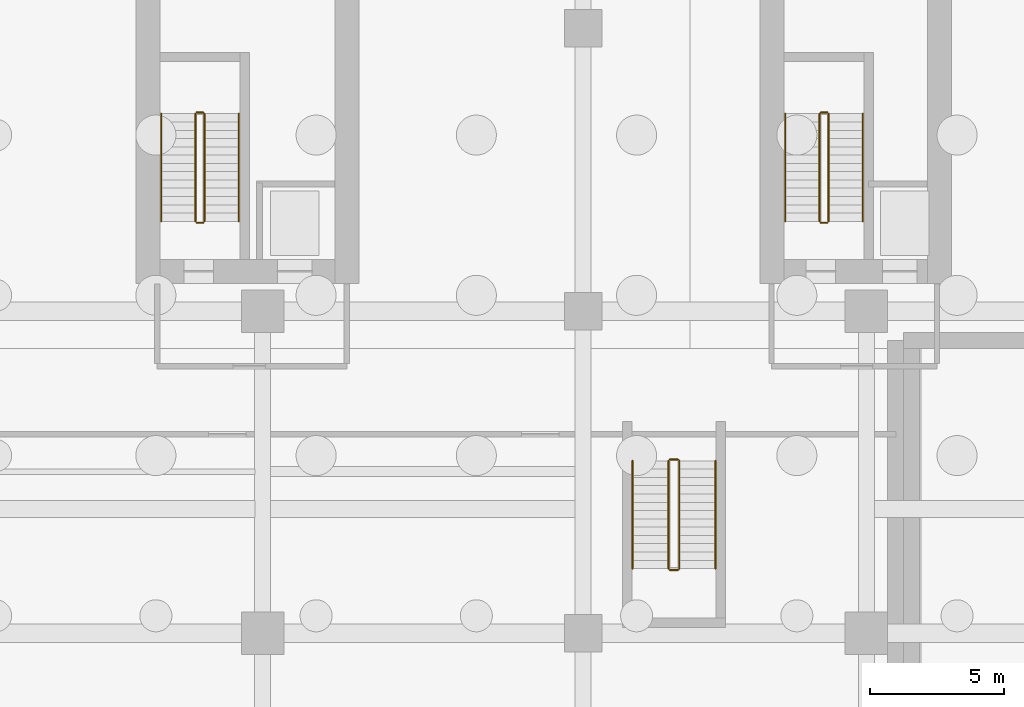
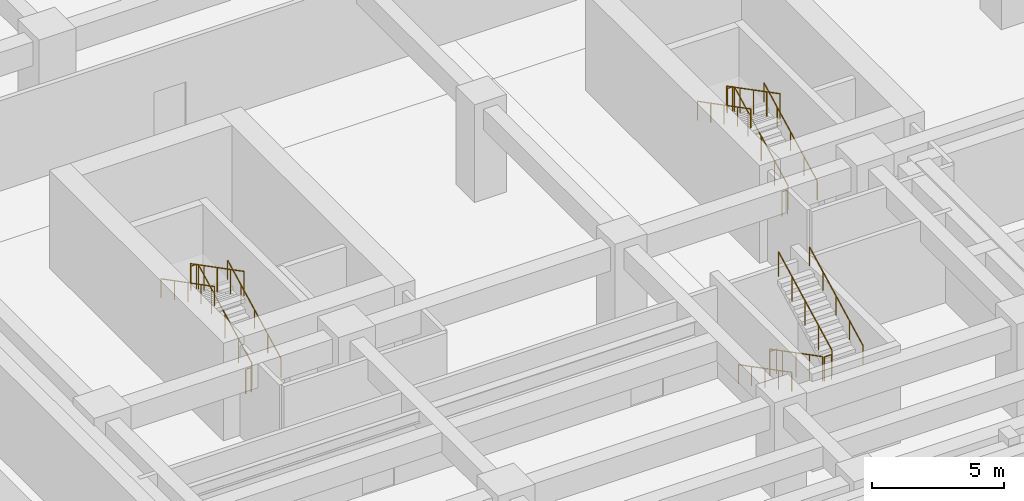
# One storey, part 12 of 14: 18 railings.
"""IFC4 building model written with IfcOpenShell, lengths in metres."""

from ifc_helpers import new_model, si_unit, direction, frame, origin, origin_2d, place, context, subcontext, project, spatial, circle, extrude, material, type_object, element, save


model = new_model("IFC4")

# Units and contexts
model_context = context("Model", 3, precision=1e-05, world=origin(), true_north=direction((0.0, 1.0)))
body_context = subcontext(model_context, "Body", "Model", "MODEL_VIEW")
ifc_project = project(units=[si_unit("LENGTHUNIT", "METRE"), si_unit("AREAUNIT", "SQUARE_METRE"), si_unit("VOLUMEUNIT", "CUBIC_METRE"), si_unit("PLANEANGLEUNIT", "RADIAN"), si_unit("MASSUNIT", "GRAM", prefix="KILO")], contexts=[model_context])

# Site, building, storey
site_placement = place(None, origin())
site = spatial("IfcSite", under=ifc_project, at=site_placement, CompositionType="ELEMENT")
building_placement = place(site_placement, origin())
building = spatial("IfcBuilding", under=site, at=building_placement, Name="Khoralis Quay Care Tower", CompositionType="ELEMENT")
storey_placement = place(building_placement, frame((0.0, 0.0, -4.5)))
storey = spatial("IfcBuildingStorey", under=building, at=storey_placement, Name="B1", CompositionType="ELEMENT", Elevation=-4.5)

# Railings
ifc_material = material(Name="Brushed stainless steel", Category="steel")
railing_type_1 = type_object("IfcRailingType", Name="RL-GUARD-1150", PredefinedType="GUARDRAIL", material=ifc_material)
railing_1_placement = place(storey_placement, frame((9.820068359375, 16.77001953125, 0.16064453125)))
element("IfcRailing", 1, at=railing_1_placement, inside=storey, type_object=railing_type_1, Name="B1 ST-T1 stair guard 1", PredefinedType="GUARDRAIL", context=body_context, shape_type="SweptSolid", body=[
    extrude(circle(Radius=0.02392578125, at=origin_2d()), frame((0.0, 0.0, 1.1259765625), z_axis=(0.0, 0.887780577991, 0.46026692836), x_axis=(-1.0, 0.0, 0.0)), (0.0, 0.0, 1.0), 4.53955078125),
    extrude(circle(Radius=0.02099609375, at=origin_2d()), origin(), (0.0, 0.0, 1.0), 1.101806640625),
    extrude(circle(Radius=0.02099609375, at=origin_2d()), frame((0.0, 1.007568359375, 0.5224609375)), (0.0, 0.0, 1.0), 1.101806640625),
    extrude(circle(Radius=0.02099609375, at=origin_2d()), frame((0.0, 2.01513671875, 1.044677734375)), (0.0, 0.0, 1.0), 1.101806640625),
    extrude(circle(Radius=0.02099609375, at=origin_2d()), frame((0.0, 3.0224609375, 1.56689453125)), (0.0, 0.0, 1.0), 1.101806640625),
    extrude(circle(Radius=0.02099609375, at=origin_2d()), frame((0.0, 4.030029296875, 2.08935546875)), (0.0, 0.0, 1.0), 1.101806640625),
])
railing_2_placement = place(storey_placement, frame((9.77001953125, 20.85009765625, 2.25)))
element("IfcRailing", 2, at=railing_2_placement, inside=storey, type_object=railing_type_1, Name="B1 ST-T1 stair guard 2", PredefinedType="GUARDRAIL", context=body_context, shape_type="SweptSolid", body=[
    extrude(circle(Radius=0.02392578125, at=origin_2d()), frame((0.0, 0.0, 1.1259765625), z_axis=(-1.0, 0.0, 0.0), x_axis=(0.0, -1.0, 0.0)), (0.0, 0.0, 1.0), 0.239990234375),
    extrude(circle(Radius=0.02099609375, at=origin_2d()), origin(), (0.0, 0.0, 1.0), 1.101806640625),
    extrude(circle(Radius=0.02099609375, at=origin_2d()), frame((-0.239990234375, 0.0, 0.0)), (0.0, 0.0, 1.0), 1.101806640625),
])
railing_3_placement = place(storey_placement, frame((9.47998046875, 20.800048828125, 2.41064453125)))
element("IfcRailing", 3, at=railing_3_placement, inside=storey, type_object=railing_type_1, Name="B1 ST-T1 stair guard 3", PredefinedType="GUARDRAIL", context=body_context, shape_type="SweptSolid", body=[
    extrude(circle(Radius=0.02392578125, at=origin_2d()), frame((0.0, 0.0, 1.1259765625), z_axis=(0.0, -0.887780577991, 0.46026692836), x_axis=(1.0, 0.0, 0.0)), (0.0, 0.0, 1.0), 4.53955078125),
    extrude(circle(Radius=0.02099609375, at=origin_2d()), origin(), (0.0, 0.0, 1.0), 1.101806640625),
    extrude(circle(Radius=0.02099609375, at=origin_2d()), frame((0.0, -1.007568359375, 0.5224609375)), (0.0, 0.0, 1.0), 1.101806640625),
    extrude(circle(Radius=0.02099609375, at=origin_2d()), frame((0.0, -2.01513671875, 1.044677734375)), (0.0, 0.0, 1.0), 1.101806640625),
    extrude(circle(Radius=0.02099609375, at=origin_2d()), frame((0.0, -3.0224609375, 1.56689453125)), (0.0, 0.0, 1.0), 1.101806640625),
    extrude(circle(Radius=0.02099609375, at=origin_2d()), frame((0.0, -4.030029296875, 2.08935546875)), (0.0, 0.0, 1.0), 1.101806640625),
])
railing_4_placement = place(storey_placement, frame((9.77001953125, 16.719970703125, 0.0)))
element("IfcRailing", 4, at=railing_4_placement, inside=storey, type_object=railing_type_1, Name="B1 ST-T1 stair guard 4", PredefinedType="GUARDRAIL", context=body_context, shape_type="SweptSolid", body=[
    extrude(circle(Radius=0.02392578125, at=origin_2d()), frame((0.0, 0.0, 1.1259765625), z_axis=(-1.0, 0.0, 0.0), x_axis=(0.0, -1.0, 0.0)), (0.0, 0.0, 1.0), 0.239990234375),
    extrude(circle(Radius=0.02099609375, at=origin_2d()), origin(), (0.0, 0.0, 1.0), 1.101806640625),
    extrude(circle(Radius=0.02099609375, at=origin_2d()), frame((-0.239990234375, 0.0, 0.0)), (0.0, 0.0, 1.0), 1.101806640625),
])
railing_5_placement = place(storey_placement, frame((33.18994140625, 16.77001953125, 0.16064453125)))
element("IfcRailing", 5, at=railing_5_placement, inside=storey, type_object=railing_type_1, Name="B1 ST-T2 stair guard 1", PredefinedType="GUARDRAIL", context=body_context, shape_type="SweptSolid", body=[
    extrude(circle(Radius=0.02392578125, at=origin_2d()), frame((0.0, 0.0, 1.1259765625), z_axis=(0.0, 0.887780577991, 0.46026692836), x_axis=(-1.0, 0.0, 0.0)), (0.0, 0.0, 1.0), 4.53955078125),
    extrude(circle(Radius=0.02099609375, at=origin_2d()), origin(), (0.0, 0.0, 1.0), 1.101806640625),
    extrude(circle(Radius=0.02099609375, at=origin_2d()), frame((0.0, 1.007568359375, 0.5224609375)), (0.0, 0.0, 1.0), 1.101806640625),
    extrude(circle(Radius=0.02099609375, at=origin_2d()), frame((0.0, 2.01513671875, 1.044677734375)), (0.0, 0.0, 1.0), 1.101806640625),
    extrude(circle(Radius=0.02099609375, at=origin_2d()), frame((0.0, 3.0224609375, 1.56689453125)), (0.0, 0.0, 1.0), 1.101806640625),
    extrude(circle(Radius=0.02099609375, at=origin_2d()), frame((0.0, 4.030029296875, 2.08935546875)), (0.0, 0.0, 1.0), 1.101806640625),
])
railing_6_placement = place(storey_placement, frame((33.139892578125, 20.85009765625, 2.25)))
element("IfcRailing", 6, at=railing_6_placement, inside=storey, type_object=railing_type_1, Name="B1 ST-T2 stair guard 2", PredefinedType="GUARDRAIL", context=body_context, shape_type="SweptSolid", body=[
    extrude(circle(Radius=0.02392578125, at=origin_2d()), frame((0.0, 0.0, 1.1259765625), z_axis=(-1.0, 0.0, 0.0), x_axis=(0.0, -1.0, 0.0)), (0.0, 0.0, 1.0), 0.239990234375),
    extrude(circle(Radius=0.02099609375, at=origin_2d()), origin(), (0.0, 0.0, 1.0), 1.101806640625),
    extrude(circle(Radius=0.02099609375, at=origin_2d()), frame((-0.239990234375, 0.0, 0.0)), (0.0, 0.0, 1.0), 1.101806640625),
])
railing_7_placement = place(storey_placement, frame((32.85009765625, 20.800048828125, 2.41064453125)))
element("IfcRailing", 7, at=railing_7_placement, inside=storey, type_object=railing_type_1, Name="B1 ST-T2 stair guard 3", PredefinedType="GUARDRAIL", context=body_context, shape_type="SweptSolid", body=[
    extrude(circle(Radius=0.02392578125, at=origin_2d()), frame((0.0, 0.0, 1.1259765625), z_axis=(0.0, -0.887780577991, 0.46026692836), x_axis=(1.0, 0.0, 0.0)), (0.0, 0.0, 1.0), 4.53955078125),
    extrude(circle(Radius=0.02099609375, at=origin_2d()), origin(), (0.0, 0.0, 1.0), 1.101806640625),
    extrude(circle(Radius=0.02099609375, at=origin_2d()), frame((0.0, -1.007568359375, 0.5224609375)), (0.0, 0.0, 1.0), 1.101806640625),
    extrude(circle(Radius=0.02099609375, at=origin_2d()), frame((0.0, -2.01513671875, 1.044677734375)), (0.0, 0.0, 1.0), 1.101806640625),
    extrude(circle(Radius=0.02099609375, at=origin_2d()), frame((0.0, -3.0224609375, 1.56689453125)), (0.0, 0.0, 1.0), 1.101806640625),
    extrude(circle(Radius=0.02099609375, at=origin_2d()), frame((0.0, -4.030029296875, 2.08935546875)), (0.0, 0.0, 1.0), 1.101806640625),
])
railing_8_placement = place(storey_placement, frame((33.139892578125, 16.719970703125, 0.0)))
element("IfcRailing", 8, at=railing_8_placement, inside=storey, type_object=railing_type_1, Name="B1 ST-T2 stair guard 4", PredefinedType="GUARDRAIL", context=body_context, shape_type="SweptSolid", body=[
    extrude(circle(Radius=0.02392578125, at=origin_2d()), frame((0.0, 0.0, 1.1259765625), z_axis=(-1.0, 0.0, 0.0), x_axis=(0.0, -1.0, 0.0)), (0.0, 0.0, 1.0), 0.239990234375),
    extrude(circle(Radius=0.02099609375, at=origin_2d()), origin(), (0.0, 0.0, 1.0), 1.101806640625),
    extrude(circle(Radius=0.02099609375, at=origin_2d()), frame((-0.239990234375, 0.0, 0.0)), (0.0, 0.0, 1.0), 1.101806640625),
])
railing_9_placement = place(storey_placement, frame((27.199951171875, 7.800048828125, 0.16064453125)))
element("IfcRailing", 9, at=railing_9_placement, inside=storey, type_object=railing_type_1, Name="B1 ST-P1 stair guard 1", PredefinedType="GUARDRAIL", context=body_context, shape_type="SweptSolid", body=[
    extrude(circle(Radius=0.02392578125, at=origin_2d()), frame((0.0, 0.0, 1.1259765625), z_axis=(0.0, -0.887780577991, 0.46026692836), x_axis=(1.0, 0.0, 0.0)), (0.0, 0.0, 1.0), 4.53955078125),
    extrude(circle(Radius=0.02099609375, at=origin_2d()), origin(), (0.0, 0.0, 1.0), 1.101806640625),
    extrude(circle(Radius=0.02099609375, at=origin_2d()), frame((0.0, -1.007568359375, 0.5224609375)), (0.0, 0.0, 1.0), 1.101806640625),
    extrude(circle(Radius=0.02099609375, at=origin_2d()), frame((0.0, -2.01513671875, 1.044677734375)), (0.0, 0.0, 1.0), 1.101806640625),
    extrude(circle(Radius=0.02099609375, at=origin_2d()), frame((0.0, -3.0224609375, 1.56689453125)), (0.0, 0.0, 1.0), 1.101806640625),
    extrude(circle(Radius=0.02099609375, at=origin_2d()), frame((0.0, -4.030029296875, 2.08935546875)), (0.0, 0.0, 1.0), 1.101806640625),
])
railing_10_placement = place(storey_placement, frame((27.25, 3.719970703125, 2.25)))
element("IfcRailing", 10, at=railing_10_placement, inside=storey, type_object=railing_type_1, Name="B1 ST-P1 stair guard 2", PredefinedType="GUARDRAIL", context=body_context, shape_type="SweptSolid", body=[
    extrude(circle(Radius=0.02392578125, at=origin_2d()), frame((0.0, 0.0, 1.1259765625), z_axis=(1.0, 0.0, 0.0), x_axis=(0.0, 1.0, 0.0)), (0.0, 0.0, 1.0), 0.300048828125),
    extrude(circle(Radius=0.02099609375, at=origin_2d()), origin(), (0.0, 0.0, 1.0), 1.101806640625),
    extrude(circle(Radius=0.02099609375, at=origin_2d()), frame((0.300048828125, 0.0, 0.0)), (0.0, 0.0, 1.0), 1.101806640625),
])
railing_11_placement = place(storey_placement, frame((27.60009765625, 3.77001953125, 2.41064453125)))
element("IfcRailing", 11, at=railing_11_placement, inside=storey, type_object=railing_type_1, Name="B1 ST-P1 stair guard 3", PredefinedType="GUARDRAIL", context=body_context, shape_type="SweptSolid", body=[
    extrude(circle(Radius=0.02392578125, at=origin_2d()), frame((0.0, 0.0, 1.1259765625), z_axis=(0.0, 0.887780577991, 0.46026692836), x_axis=(-1.0, 0.0, 0.0)), (0.0, 0.0, 1.0), 4.53955078125),
    extrude(circle(Radius=0.02099609375, at=origin_2d()), origin(), (0.0, 0.0, 1.0), 1.101806640625),
    extrude(circle(Radius=0.02099609375, at=origin_2d()), frame((0.0, 1.007568359375, 0.5224609375)), (0.0, 0.0, 1.0), 1.101806640625),
    extrude(circle(Radius=0.02099609375, at=origin_2d()), frame((0.0, 2.01513671875, 1.044677734375)), (0.0, 0.0, 1.0), 1.101806640625),
    extrude(circle(Radius=0.02099609375, at=origin_2d()), frame((0.0, 3.0224609375, 1.56689453125)), (0.0, 0.0, 1.0), 1.101806640625),
    extrude(circle(Radius=0.02099609375, at=origin_2d()), frame((0.0, 4.030029296875, 2.08935546875)), (0.0, 0.0, 1.0), 1.101806640625),
])
railing_12_placement = place(storey_placement, frame((27.25, 7.85009765625, 0.0)))
element("IfcRailing", 12, at=railing_12_placement, inside=storey, type_object=railing_type_1, Name="B1 ST-P1 stair guard 4", PredefinedType="GUARDRAIL", context=body_context, shape_type="SweptSolid", body=[
    extrude(circle(Radius=0.02392578125, at=origin_2d()), frame((0.0, 0.0, 1.1259765625), z_axis=(1.0, 0.0, 0.0), x_axis=(0.0, 1.0, 0.0)), (0.0, 0.0, 1.0), 0.300048828125),
    extrude(circle(Radius=0.02099609375, at=origin_2d()), origin(), (0.0, 0.0, 1.0), 1.101806640625),
    extrude(circle(Radius=0.02099609375, at=origin_2d()), frame((0.300048828125, 0.0, 0.0)), (0.0, 0.0, 1.0), 1.101806640625),
])
railing_type_2 = type_object("IfcRailingType", Name="RL-HAND-900", PredefinedType="HANDRAIL", material=ifc_material)
railing_13_placement = place(storey_placement, frame((11.10009765625, 16.77001953125, 0.16064453125)))
element("IfcRailing", 13, at=railing_13_placement, inside=storey, type_object=railing_type_2, Name="B1 ST-T1 stair handrail 1", PredefinedType="HANDRAIL", context=body_context, shape_type="SweptSolid", body=[
    extrude(circle(Radius=0.02392578125, at=origin_2d()), frame((0.0, 0.0, 0.8759765625), z_axis=(0.0, 0.887780577991, 0.46026692836), x_axis=(-1.0, 0.0, 0.0)), (0.0, 0.0, 1.0), 4.53955078125),
    extrude(circle(Radius=0.02099609375, at=origin_2d()), origin(), (0.0, 0.0, 1.0), 0.851806640625),
    extrude(circle(Radius=0.02099609375, at=origin_2d()), frame((0.0, 1.007568359375, 0.5224609375)), (0.0, 0.0, 1.0), 0.851806640625),
    extrude(circle(Radius=0.02099609375, at=origin_2d()), frame((0.0, 2.01513671875, 1.044677734375)), (0.0, 0.0, 1.0), 0.851806640625),
    extrude(circle(Radius=0.02099609375, at=origin_2d()), frame((0.0, 3.0224609375, 1.56689453125)), (0.0, 0.0, 1.0), 0.851806640625),
    extrude(circle(Radius=0.02099609375, at=origin_2d()), frame((0.0, 4.030029296875, 2.08935546875)), (0.0, 0.0, 1.0), 0.851806640625),
])
railing_14_placement = place(storey_placement, frame((8.199951171875, 20.800048828125, 2.41064453125)))
element("IfcRailing", 14, at=railing_14_placement, inside=storey, type_object=railing_type_2, Name="B1 ST-T1 stair handrail 2", PredefinedType="HANDRAIL", context=body_context, shape_type="SweptSolid", body=[
    extrude(circle(Radius=0.02392578125, at=origin_2d()), frame((0.0, 0.0, 0.8759765625), z_axis=(0.0, -0.887780577991, 0.46026692836), x_axis=(1.0, 0.0, 0.0)), (0.0, 0.0, 1.0), 4.53955078125),
    extrude(circle(Radius=0.02099609375, at=origin_2d()), origin(), (0.0, 0.0, 1.0), 0.851806640625),
    extrude(circle(Radius=0.02099609375, at=origin_2d()), frame((0.0, -1.007568359375, 0.5224609375)), (0.0, 0.0, 1.0), 0.851806640625),
    extrude(circle(Radius=0.02099609375, at=origin_2d()), frame((0.0, -2.01513671875, 1.044677734375)), (0.0, 0.0, 1.0), 0.851806640625),
    extrude(circle(Radius=0.02099609375, at=origin_2d()), frame((0.0, -3.0224609375, 1.56689453125)), (0.0, 0.0, 1.0), 0.851806640625),
    extrude(circle(Radius=0.02099609375, at=origin_2d()), frame((0.0, -4.030029296875, 2.08935546875)), (0.0, 0.0, 1.0), 0.851806640625),
])
railing_15_placement = place(storey_placement, frame((34.469970703125, 16.77001953125, 0.16064453125)))
element("IfcRailing", 15, at=railing_15_placement, inside=storey, type_object=railing_type_2, Name="B1 ST-T2 stair handrail 1", PredefinedType="HANDRAIL", context=body_context, shape_type="SweptSolid", body=[
    extrude(circle(Radius=0.02392578125, at=origin_2d()), frame((0.0, 0.0, 0.8759765625), z_axis=(0.0, 0.887780577991, 0.46026692836), x_axis=(-1.0, 0.0, 0.0)), (0.0, 0.0, 1.0), 4.53955078125),
    extrude(circle(Radius=0.02099609375, at=origin_2d()), origin(), (0.0, 0.0, 1.0), 0.851806640625),
    extrude(circle(Radius=0.02099609375, at=origin_2d()), frame((0.0, 1.007568359375, 0.5224609375)), (0.0, 0.0, 1.0), 0.851806640625),
    extrude(circle(Radius=0.02099609375, at=origin_2d()), frame((0.0, 2.01513671875, 1.044677734375)), (0.0, 0.0, 1.0), 0.851806640625),
    extrude(circle(Radius=0.02099609375, at=origin_2d()), frame((0.0, 3.0224609375, 1.56689453125)), (0.0, 0.0, 1.0), 0.851806640625),
    extrude(circle(Radius=0.02099609375, at=origin_2d()), frame((0.0, 4.030029296875, 2.08935546875)), (0.0, 0.0, 1.0), 0.851806640625),
])
for number, where, name in (
    (16, (31.570068359375, 20.800048828125, 2.41064453125), "B1 ST-T2 stair handrail 2"),
    (17, (25.85009765625, 7.800048828125, 0.16064453125), "B1 ST-P1 stair handrail 1"),
):
    element("IfcRailing", number, at=place(storey_placement, frame(where)), inside=storey, type_object=railing_type_2, Name=name, PredefinedType="HANDRAIL", context=body_context, shape_type="SweptSolid", body=[
        extrude(circle(Radius=0.02392578125, at=origin_2d()), frame((0.0, 0.0, 0.8759765625), z_axis=(0.0, -0.887780577991, 0.46026692836), x_axis=(1.0, 0.0, 0.0)), (0.0, 0.0, 1.0), 4.53955078125),
        extrude(circle(Radius=0.02099609375, at=origin_2d()), origin(), (0.0, 0.0, 1.0), 0.851806640625),
        extrude(circle(Radius=0.02099609375, at=origin_2d()), frame((0.0, -1.007568359375, 0.5224609375)), (0.0, 0.0, 1.0), 0.851806640625),
        extrude(circle(Radius=0.02099609375, at=origin_2d()), frame((0.0, -2.01513671875, 1.044677734375)), (0.0, 0.0, 1.0), 0.851806640625),
        extrude(circle(Radius=0.02099609375, at=origin_2d()), frame((0.0, -3.0224609375, 1.56689453125)), (0.0, 0.0, 1.0), 0.851806640625),
        extrude(circle(Radius=0.02099609375, at=origin_2d()), frame((0.0, -4.030029296875, 2.08935546875)), (0.0, 0.0, 1.0), 0.851806640625),
    ])
railing_16_placement = place(storey_placement, frame((28.949951171875, 3.77001953125, 2.41064453125)))
element("IfcRailing", 18, at=railing_16_placement, inside=storey, type_object=railing_type_2, Name="B1 ST-P1 stair handrail 2", PredefinedType="HANDRAIL", context=body_context, shape_type="SweptSolid", body=[
    extrude(circle(Radius=0.02392578125, at=origin_2d()), frame((0.0, 0.0, 0.8759765625), z_axis=(0.0, 0.887780577991, 0.46026692836), x_axis=(-1.0, 0.0, 0.0)), (0.0, 0.0, 1.0), 4.53955078125),
    extrude(circle(Radius=0.02099609375, at=origin_2d()), origin(), (0.0, 0.0, 1.0), 0.851806640625),
    extrude(circle(Radius=0.02099609375, at=origin_2d()), frame((0.0, 1.007568359375, 0.5224609375)), (0.0, 0.0, 1.0), 0.851806640625),
    extrude(circle(Radius=0.02099609375, at=origin_2d()), frame((0.0, 2.01513671875, 1.044677734375)), (0.0, 0.0, 1.0), 0.851806640625),
    extrude(circle(Radius=0.02099609375, at=origin_2d()), frame((0.0, 3.0224609375, 1.56689453125)), (0.0, 0.0, 1.0), 0.851806640625),
    extrude(circle(Radius=0.02099609375, at=origin_2d()), frame((0.0, 4.030029296875, 2.08935546875)), (0.0, 0.0, 1.0), 0.851806640625),
])

save(model, "model.ifc")
